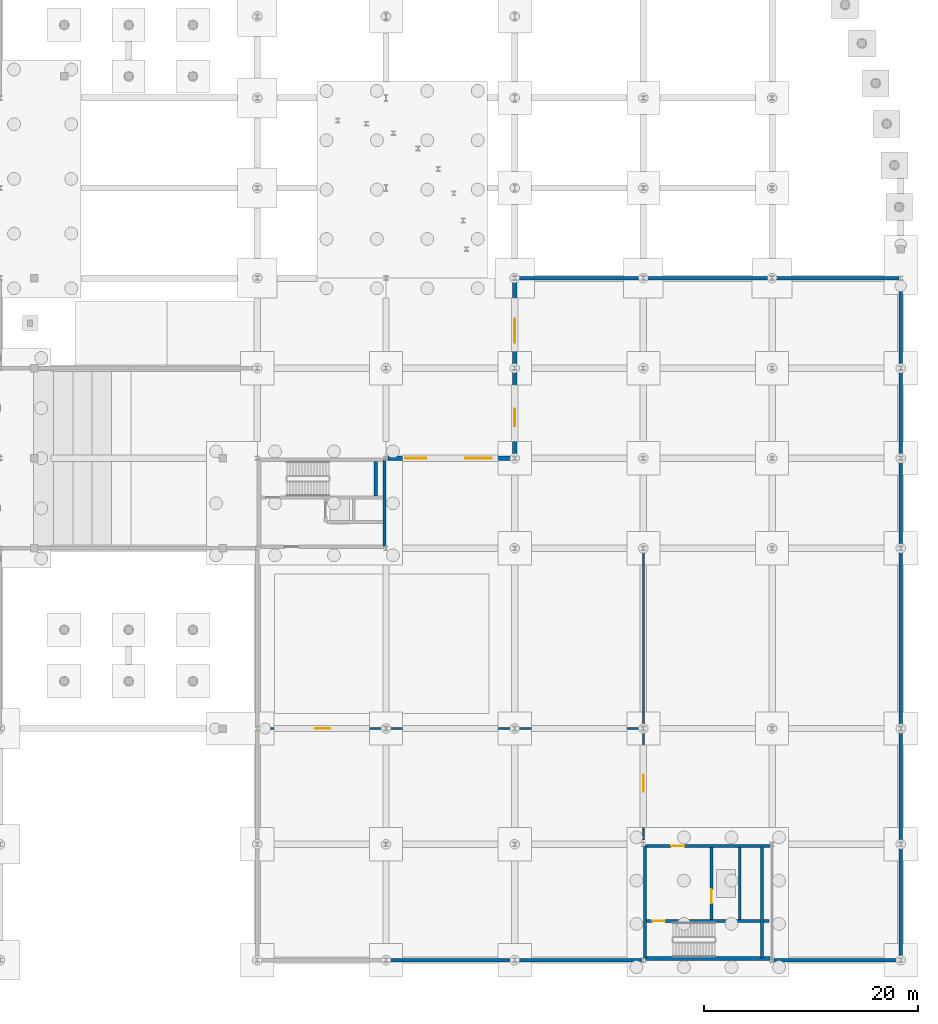
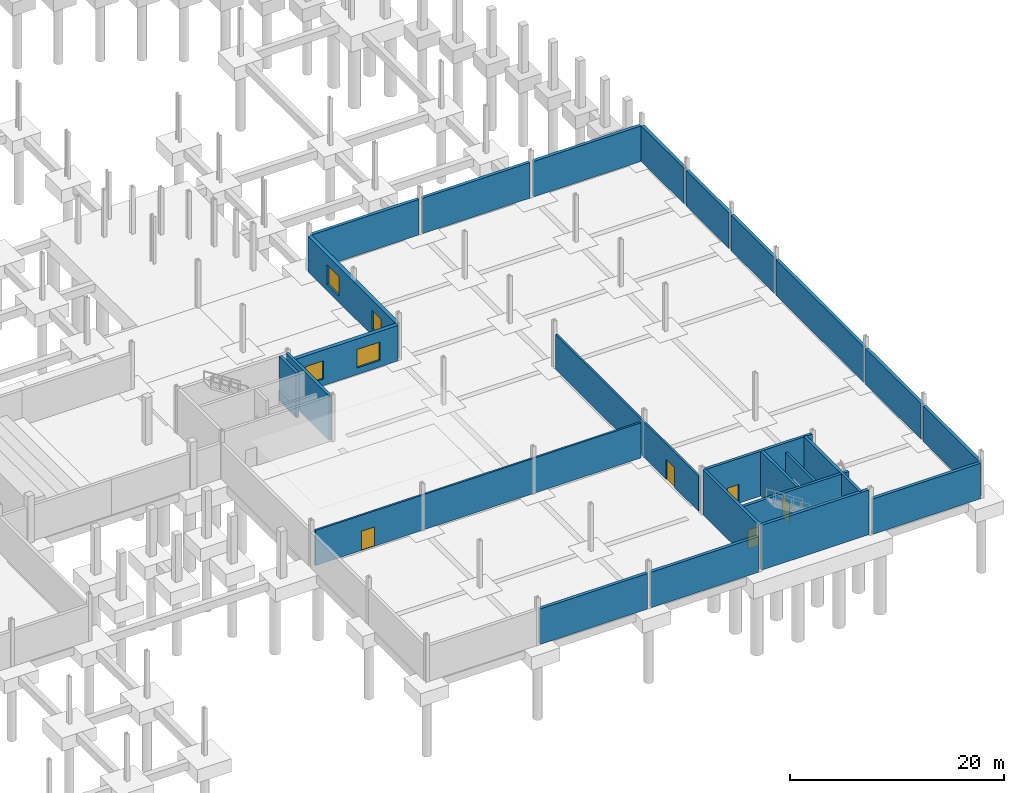
# One storey, part 29 of 36: 25 walls, 5 doors, 4 windows, 9 openings.
"""IFC4 building model written with IfcOpenShell, lengths in metres."""

from ifc_helpers import new_model, si_unit, direction, frame, frame_2d, origin, place, context, subcontext, project, spatial, rectangle, extrude, material, layer, layer_set, type_object, element, fill, save


model = new_model("IFC4")

# Units and contexts
model_context = context("Model", 3, precision=1e-05, world=origin(), true_north=direction((0.0, 1.0)))
body_context = subcontext(model_context, "Body", "Model", "MODEL_VIEW")
ifc_project = project(units=[si_unit("LENGTHUNIT", "METRE"), si_unit("AREAUNIT", "SQUARE_METRE"), si_unit("VOLUMEUNIT", "CUBIC_METRE"), si_unit("PLANEANGLEUNIT", "RADIAN"), si_unit("MASSUNIT", "GRAM", prefix="KILO"), si_unit("THERMODYNAMICTEMPERATUREUNIT", "KELVIN"), si_unit("POWERUNIT", "WATT")], contexts=[model_context])

# Site, building, storey
site_placement = place(None, origin())
site = spatial("IfcSite", under=ifc_project, at=site_placement, CompositionType="ELEMENT")
building_placement = place(site_placement, origin())
building = spatial("IfcBuilding", under=site, at=building_placement, Name="Tembeka Court Mobility Hub", CompositionType="ELEMENT")
storey_placement = place(building_placement, frame((0.0, 0.0, -5.39990234375)))
storey = spatial("IfcBuildingStorey", under=building, at=storey_placement, Name="B1", CompositionType="ELEMENT", Elevation=-5.39990234375)

# Wall, openings, windows
ifc_material_1 = material(Name="Insulated Nairobi volcanic-tuff masonry", Category="masonry")
ifc_layer_1 = layer(ifc_material_1, 0.419921875)
ifc_layer_set_1 = layer_set([ifc_layer_1], Name="Insulated Nairobi volcanic-tuff masonry")
wall_type_1 = type_object("IfcWallType", Name="WL-EW01", PredefinedType="STANDARD", material=ifc_layer_set_1)
wall_1_placement = place(storey_placement, frame((128.58447265625, 46.800048828125, 0.0), z_axis=(0.0, 0.0, 1.0), x_axis=(1.0, 0.0, 0.0)))
wall_1 = element("IfcWall", 1, at=wall_1_placement, inside=storey, type_object=wall_type_1, Name="External wall EW01 (EW-B1-0057)", PredefinedType="STANDARD", context=body_context, shape_type="SweptSolid", body=[
    extrude(rectangle(XDim=11.631103515625, YDim=0.419921875, at=frame_2d((5.8154296875, 0.0))), origin(), (0.0, 0.0, 1.0), 4.059814453125),
])
opening_1_placement = place(wall_1_placement, frame((1.60009765625, 0.0, 0.75)))
opening_1 = element("IfcOpeningElement", 2, at=opening_1_placement, cuts=wall_1, Name="Opening WN23", PredefinedType="OPENING", context=body_context, shape_type="SweptSolid", body=[
    extrude(rectangle(XDim=1.949951171875, YDim=2.10009765625, at=frame_2d((0.97509765625, 1.050048828125))), frame((0.0, 0.219970703125, 0.0), z_axis=(0.0, -1.0, 0.0), x_axis=(1.0, 0.0, 0.0)), (0.0, 0.0, 1.0), 0.43994140625),
])
opening_2_placement = place(wall_1_placement, frame((7.199951171875, 0.0, 0.75)))
opening_2 = element("IfcOpeningElement", 3, at=opening_2_placement, cuts=wall_1, Name="Opening WN28", PredefinedType="OPENING", context=body_context, shape_type="SweptSolid", body=[
    extrude(rectangle(XDim=2.5, YDim=2.10009765625, at=frame_2d((1.25, 1.050048828125))), frame((0.0, 0.219970703125, 0.0), z_axis=(0.0, -1.0, 0.0), x_axis=(1.0, 0.0, 0.0)), (0.0, 0.0, 1.0), 0.43994140625),
])
ifc_material_2 = material(Name="Laminated solar-control low-E glass", Category="glass")
window_type_1 = type_object("IfcWindowType", Name="WN-W23", PartitioningType="SINGLE_PANEL", PredefinedType="WINDOW", material=ifc_material_2)
window_1_placement = place(opening_1_placement, origin())
window_1 = element("IfcWindow", 4, at=window_1_placement, inside=storey, type_object=window_type_1, Name="Window WN23-0001", OverallHeight=2.10009765625, OverallWidth=1.949951171875, PartitioningType="SINGLE_PANEL", PredefinedType="WINDOW", context=body_context, shape_type="SweptSolid", body=[
    extrude(rectangle(XDim=1.949951171875, YDim=2.10009765625, at=frame_2d((0.97509765625, 1.050048828125))), frame((0.0, 0.030029296875, 0.0), z_axis=(0.0, -1.0, 0.0), x_axis=(1.0, 0.0, 0.0)), (0.0, 0.0, 1.0), 0.06005859375),
])
fill(opening_1, window_1)
window_type_2 = type_object("IfcWindowType", Name="WN-W28", PartitioningType="SINGLE_PANEL", PredefinedType="WINDOW", material=ifc_material_2)
window_2_placement = place(opening_2_placement, origin())
window_2 = element("IfcWindow", 5, at=window_2_placement, inside=storey, type_object=window_type_2, Name="Window WN28-0002", OverallHeight=2.10009765625, OverallWidth=2.5, PartitioningType="SINGLE_PANEL", PredefinedType="WINDOW", context=body_context, shape_type="SweptSolid", body=[
    extrude(rectangle(XDim=2.5, YDim=2.10009765625, at=frame_2d((1.25, 1.050048828125))), frame((0.0, 0.030029296875, 0.0), z_axis=(0.0, -1.0, 0.0), x_axis=(1.0, 0.0, 0.0)), (0.0, 0.0, 1.0), 0.06005859375),
])
fill(opening_2, window_2)

wall_2_placement = place(storey_placement, frame((140.39990234375, 46.98193359375, 0.0), z_axis=(0.0, 0.0, 1.0), x_axis=(0.0, 1.0, 0.0)))
wall_2 = element("IfcWall", 6, at=wall_2_placement, inside=storey, type_object=wall_type_1, Name="External wall EW01 (EW-B1-0058)", PredefinedType="STANDARD", context=body_context, shape_type="SweptSolid", body=[
    extrude(rectangle(XDim=16.423095703125, YDim=0.419921875, at=frame_2d((8.21142578125, 0.0))), origin(), (0.0, 0.0, 1.0), 4.059814453125),
])
opening_3_placement = place(wall_2_placement, frame((2.800048828125, 0.0, 0.75)))
opening_3 = element("IfcOpeningElement", 7, at=opening_3_placement, cuts=wall_2, Name="Opening WN22", PredefinedType="OPENING", context=body_context, shape_type="SweptSolid", body=[
    extrude(rectangle(XDim=1.64990234375, YDim=2.10009765625, at=frame_2d((0.824951171875, 1.050048828125))), frame((0.0, 0.219970703125, 0.0), z_axis=(0.0, -1.0, 0.0), x_axis=(1.0, 0.0, 0.0)), (0.0, 0.0, 1.0), 0.43994140625),
])
opening_4_placement = place(wall_2_placement, frame((10.60009765625, 0.0, 0.75)))
opening_4 = element("IfcOpeningElement", 8, at=opening_4_placement, cuts=wall_2, Name="Opening WN24", PredefinedType="OPENING", context=body_context, shape_type="SweptSolid", body=[
    extrude(rectangle(XDim=2.25, YDim=2.199951171875, at=frame_2d((1.125, 1.10009765625))), frame((0.0, 0.219970703125, 0.0), z_axis=(0.0, -1.0, 0.0), x_axis=(1.0, 0.0, 0.0)), (0.0, 0.0, 1.0), 0.43994140625),
])
window_type_3 = type_object("IfcWindowType", Name="WN-W22", PartitioningType="SINGLE_PANEL", PredefinedType="WINDOW", material=ifc_material_2)
window_3_placement = place(opening_3_placement, origin())
window_3 = element("IfcWindow", 9, at=window_3_placement, inside=storey, type_object=window_type_3, Name="Window WN22-0003", OverallHeight=2.10009765625, OverallWidth=1.64990234375, PartitioningType="SINGLE_PANEL", PredefinedType="WINDOW", context=body_context, shape_type="SweptSolid", body=[
    extrude(rectangle(XDim=1.64990234375, YDim=2.10009765625, at=frame_2d((0.824951171875, 1.050048828125))), frame((0.0, 0.030029296875, 0.0), z_axis=(0.0, -1.0, 0.0), x_axis=(1.0, 0.0, 0.0)), (0.0, 0.0, 1.0), 0.06005859375),
])
fill(opening_3, window_3)
window_type_4 = type_object("IfcWindowType", Name="WN-W24", PartitioningType="SINGLE_PANEL", PredefinedType="WINDOW", material=ifc_material_2)
window_4_placement = place(opening_4_placement, origin())
window_4 = element("IfcWindow", 10, at=window_4_placement, inside=storey, type_object=window_type_4, Name="Window WN24-0004", OverallHeight=2.199951171875, OverallWidth=2.25, PartitioningType="SINGLE_PANEL", PredefinedType="WINDOW", context=body_context, shape_type="SweptSolid", body=[
    extrude(rectangle(XDim=2.25, YDim=2.199951171875, at=frame_2d((1.125, 1.10009765625))), frame((0.0, 0.030029296875, 0.0), z_axis=(0.0, -1.0, 0.0), x_axis=(1.0, 0.0, 0.0)), (0.0, 0.0, 1.0), 0.06005859375),
])
fill(opening_4, window_4)

# Wall
ifc_material_3 = material(Name="Concrete C40/50", Category="concrete")
ifc_layer_2 = layer(ifc_material_3, 0.25)
ifc_layer_set_2 = layer_set([ifc_layer_2], Name="Concrete C40/50")
wall_type_2 = type_object("IfcWallType", Name="WL-IW01", PredefinedType="PARTITIONING", material=ifc_layer_set_2)
wall_3_placement = place(storey_placement, frame((161.39990234375, 3.800048828125, 0.0), z_axis=(0.0, 0.0, 1.0), x_axis=(0.0, 1.0, 0.0)))
element("IfcWall", 11, at=wall_3_placement, inside=storey, type_object=wall_type_2, Name="Wall IW01 (IW-B1-0300)", PredefinedType="PARTITIONING", context=body_context, shape_type="SweptSolid", body=[
    extrude(rectangle(XDim=6.699951171875, YDim=0.25, at=frame_2d((3.35009765625, 0.0))), origin(), (0.0, 0.0, 1.0), 4.02490234375),
])

# Wall, opening, door
ifc_material_4 = material(Name="Concrete blockwork masonry", Category="masonry")
ifc_layer_3 = layer(ifc_material_4, 0.199951171875)
ifc_layer_set_3 = layer_set([ifc_layer_3], Name="Concrete blockwork masonry")
wall_type_3 = type_object("IfcWallType", Name="WL-IW02", PredefinedType="PARTITIONING", material=ifc_layer_set_3)
wall_4_placement = place(storey_placement, frame((116.800048828125, 21.60009765625, 0.0), z_axis=(0.0, 0.0, 1.0), x_axis=(1.0, 0.0, 0.0)))
wall_4 = element("IfcWall", 12, at=wall_4_placement, inside=storey, type_object=wall_type_3, Name="Wall IW02 (IW-B1-0421)", PredefinedType="PARTITIONING", context=body_context, shape_type="SweptSolid", body=[
    extrude(rectangle(XDim=35.199951171875, YDim=0.199951171875, at=frame_2d((17.60009765625, 0.0))), origin(), (0.0, 0.0, 1.0), 4.02490234375),
])
opening_5_placement = place(wall_4_placement, frame((5.0, 0.0, 0.0)))
opening_5 = element("IfcOpeningElement", 13, at=opening_5_placement, cuts=wall_4, Name="Opening FD04", PredefinedType="OPENING", context=body_context, shape_type="SweptSolid", body=[
    extrude(rectangle(XDim=1.39990234375, YDim=2.199951171875, at=frame_2d((0.699951171875, 1.10009765625))), frame((0.0, 0.10986328125, 0.0), z_axis=(0.0, -1.0, 0.0), x_axis=(1.0, 0.0, 0.0)), (0.0, 0.0, 1.0), 0.219970703125),
])
ifc_material_5 = material(Name="Galvanised steel fire/shutter doorset", Category="steel")
door_type_1 = type_object("IfcDoorType", Name="DR-FD04", OperationType="NOTDEFINED", PredefinedType="DOOR", material=ifc_material_5)
door_1_placement = place(opening_5_placement, origin())
door_1 = element("IfcDoor", 14, at=door_1_placement, inside=storey, type_object=door_type_1, Name="Door FD04-0194", OperationType="SINGLE_SWING_RIGHT", OverallHeight=2.199951171875, OverallWidth=1.39990234375, PredefinedType="DOOR", context=body_context, shape_type="SweptSolid", body=[
    extrude(rectangle(XDim=1.39990234375, YDim=2.199951171875, at=frame_2d((0.699951171875, 1.10009765625))), frame((0.0, 0.02490234375, 0.0), z_axis=(0.0, -1.0, 0.0), x_axis=(1.0, 0.0, 0.0)), (0.0, 0.0, 1.0), 0.050048828125),
])
fill(opening_5, door_1)

wall_5_placement = place(storey_placement, frame((152.39990234375, 11.199951171875, 0.0), z_axis=(0.0, 0.0, 1.0), x_axis=(0.0, 1.0, 0.0)))
wall_5 = element("IfcWall", 15, at=wall_5_placement, inside=storey, type_object=wall_type_3, Name="Wall IW02 (IW-B1-0422)", PredefinedType="PARTITIONING", context=body_context, shape_type="SweptSolid", body=[
    extrude(rectangle(XDim=26.800048828125, YDim=0.199951171875, at=frame_2d((13.39990234375, 0.0))), origin(), (0.0, 0.0, 1.0), 4.02490234375),
])
opening_6_placement = place(wall_5_placement, frame((4.5, 0.0, 0.0)))
opening_6 = element("IfcOpeningElement", 16, at=opening_6_placement, cuts=wall_5, Name="Opening ID05", PredefinedType="OPENING", context=body_context, shape_type="SweptSolid", body=[
    extrude(rectangle(XDim=1.60009765625, YDim=2.25, at=frame_2d((0.800048828125, 1.125))), frame((0.0, 0.10986328125, 0.0), z_axis=(0.0, -1.0, 0.0), x_axis=(1.0, 0.0, 0.0)), (0.0, 0.0, 1.0), 0.219970703125),
])
ifc_material_6 = material(Name="Powder-coated aluminium glazed doorset", Category="aluminium")
door_type_2 = type_object("IfcDoorType", Name="DR-ID05", OperationType="NOTDEFINED", PredefinedType="DOOR", material=ifc_material_6)
door_2_placement = place(opening_6_placement, origin())
door_2 = element("IfcDoor", 17, at=door_2_placement, inside=storey, type_object=door_type_2, Name="Door ID05-0195", OperationType="DOUBLE_DOOR_SINGLE_SWING", OverallHeight=2.25, OverallWidth=1.60009765625, PredefinedType="DOOR", context=body_context, shape_type="SweptSolid", body=[
    extrude(rectangle(XDim=1.60009765625, YDim=2.25, at=frame_2d((0.800048828125, 1.125))), frame((0.0, 0.02490234375, 0.0), z_axis=(0.0, -1.0, 0.0), x_axis=(1.0, 0.0, 0.0)), (0.0, 0.0, 1.0), 0.050048828125),
])
fill(opening_6, door_2)

# Walls
ifc_layer_4 = layer(ifc_material_3, 0.340087890625)
ifc_layer_set_4 = layer_set([ifc_layer_4], Name="Concrete C40/50")
wall_type_4 = type_object("IfcWallType", Name="WL-RW01", PredefinedType="USERDEFINED", material=ifc_layer_set_4)
for number, where, z_axis, x_axis, name in (
    (18, (128.595458984375, 0.0, 0.0), (0.0, 0.0, 1.0), (1.0, 0.0, 0.0), "External wall RW01 (EW-B1-0042)"),
    (19, (140.595458984375, 0.0, 0.0), (0.0, 0.0, 1.0), (1.0, 0.0, 0.0), "External wall RW01 (EW-B1-0043)"),
    (20, (164.595458984375, 0.0, 0.0), (0.0, 0.0, 1.0), (1.0, 0.0, 0.0), "External wall RW01 (EW-B1-0044)"),
):
    element("IfcWall", number, at=place(storey_placement, frame(where, z_axis=z_axis, x_axis=x_axis)), inside=storey, type_object=wall_type_4, Name=name, ObjectType="RETAININGWALL", PredefinedType="USERDEFINED", context=body_context, shape_type="SweptSolid", body=[
        extrude(rectangle(XDim=11.609130859375, YDim=0.340087890625, at=frame_2d((5.8046875, 0.0))), origin(), (0.0, 0.0, 1.0), 4.059814453125),
    ])
for number, where, z_axis, x_axis, name in (
    (21, (176.39990234375, 0.1884765625, 0.0), (0.0, 0.0, 1.0), (0.0, 1.0, 0.0), "External wall RW01 (EW-B1-0045)"),
    (22, (176.39990234375, 10.988525390625, 0.0), (0.0, 0.0, 1.0), (0.0, 1.0, 0.0), "External wall RW01 (EW-B1-0046)"),
):
    element("IfcWall", number, at=place(storey_placement, frame(where, z_axis=z_axis, x_axis=x_axis)), inside=storey, type_object=wall_type_4, Name=name, ObjectType="RETAININGWALL", PredefinedType="USERDEFINED", context=body_context, shape_type="SweptSolid", body=[
        extrude(rectangle(XDim=10.423095703125, YDim=0.340087890625, at=frame_2d((5.21142578125, 0.0))), origin(), (0.0, 0.0, 1.0), 4.059814453125),
    ])
wall_6_placement = place(storey_placement, frame((176.39990234375, 21.78857421875, 0.0), z_axis=(0.0, 0.0, 1.0), x_axis=(0.0, 1.0, 0.0)))
element("IfcWall", 23, at=wall_6_placement, inside=storey, type_object=wall_type_4, Name="External wall RW01 (EW-B1-0047)", ObjectType="RETAININGWALL", PredefinedType="USERDEFINED", context=body_context, shape_type="SweptSolid", body=[
    extrude(rectangle(XDim=16.429443359375, YDim=0.340087890625, at=frame_2d((8.21484375, 0.0))), origin(), (0.0, 0.0, 1.0), 4.059814453125),
])
wall_7_placement = place(storey_placement, frame((176.39990234375, 38.58203125, 0.0), z_axis=(0.0, 0.0, 1.0), x_axis=(0.0, 1.0, 0.0)))
element("IfcWall", 24, at=wall_7_placement, inside=storey, type_object=wall_type_4, Name="External wall RW01 (EW-B1-0048)", ObjectType="RETAININGWALL", PredefinedType="USERDEFINED", context=body_context, shape_type="SweptSolid", body=[
    extrude(rectangle(XDim=8.035888671875, YDim=0.340087890625, at=frame_2d((4.01806640625, 0.0))), origin(), (0.0, 0.0, 1.0), 4.059814453125),
])
wall_8_placement = place(storey_placement, frame((176.39990234375, 46.98193359375, 0.0), z_axis=(0.0, 0.0, 1.0), x_axis=(0.0, 1.0, 0.0)))
element("IfcWall", 25, at=wall_8_placement, inside=storey, type_object=wall_type_4, Name="External wall RW01 (EW-B1-0049)", ObjectType="RETAININGWALL", PredefinedType="USERDEFINED", context=body_context, shape_type="SweptSolid", body=[
    extrude(rectangle(XDim=8.0361328125, YDim=0.340087890625, at=frame_2d((4.01806640625, 0.0))), origin(), (0.0, 0.0, 1.0), 4.059814453125),
])
wall_9_placement = place(storey_placement, frame((176.39990234375, 55.382080078125, 0.0), z_axis=(0.0, 0.0, 1.0), x_axis=(0.0, 1.0, 0.0)))
element("IfcWall", 26, at=wall_9_placement, inside=storey, type_object=wall_type_4, Name="External wall RW01 (EW-B1-0050)", ObjectType="RETAININGWALL", PredefinedType="USERDEFINED", context=body_context, shape_type="SweptSolid", body=[
    extrude(rectangle(XDim=8.035888671875, YDim=0.340087890625, at=frame_2d((4.01806640625, 0.0))), origin(), (0.0, 0.0, 1.0), 4.059814453125),
])
for number, where, z_axis, x_axis, name in (
    (27, (140.597412109375, 63.60009765625, 0.0), (0.0, 0.0, 1.0), (1.0, 0.0, 0.0), "External wall RW01 (EW-B1-0051)"),
    (28, (152.597412109375, 63.60009765625, 0.0), (0.0, 0.0, 1.0), (1.0, 0.0, 0.0), "External wall RW01 (EW-B1-0052)"),
):
    element("IfcWall", number, at=place(storey_placement, frame(where, z_axis=z_axis, x_axis=x_axis)), inside=storey, type_object=wall_type_4, Name=name, ObjectType="RETAININGWALL", PredefinedType="USERDEFINED", context=body_context, shape_type="SweptSolid", body=[
        extrude(rectangle(XDim=11.60498046875, YDim=0.340087890625, at=frame_2d((5.802490234375, 0.0))), origin(), (0.0, 0.0, 1.0), 4.059814453125),
    ])
wall_10_placement = place(storey_placement, frame((164.597412109375, 63.60009765625, 0.0), z_axis=(0.0, 0.0, 1.0), x_axis=(1.0, 0.0, 0.0)))
element("IfcWall", 29, at=wall_10_placement, inside=storey, type_object=wall_type_4, Name="External wall RW01 (EW-B1-0053)", ObjectType="RETAININGWALL", PredefinedType="USERDEFINED", context=body_context, shape_type="SweptSolid", body=[
    extrude(rectangle(XDim=11.6181640625, YDim=0.340087890625, at=frame_2d((5.80908203125, 0.0))), origin(), (0.0, 0.0, 1.0), 4.059814453125),
])
ifc_layer_5 = layer(ifc_material_3, 0.300048828125)
ifc_layer_set_5 = layer_set([ifc_layer_5], Name="Concrete C40/50")
wall_type_5 = type_object("IfcWallType", Name="WL-SW01", PredefinedType="SHEAR", material=ifc_layer_set_5)
wall_11_placement = place(storey_placement, frame((128.25, 38.58203125, 0.0), z_axis=(0.0, 0.0, 1.0), x_axis=(0.0, 1.0, 0.0)))
element("IfcWall", 30, at=wall_11_placement, inside=storey, type_object=wall_type_5, Name="Wall SW01 (IW-B1-0252)", PredefinedType="SHEAR", context=body_context, shape_type="SweptSolid", body=[
    extrude(rectangle(XDim=8.035888671875, YDim=0.300048828125, at=frame_2d((4.01806640625, 0.0))), origin(), (0.0, 0.0, 1.0), 5.119873046875),
])
wall_12_placement = place(storey_placement, frame((127.449951171875, 43.300048828125, 0.0), z_axis=(0.0, 0.0, 1.0), x_axis=(0.0, 1.0, 0.0)))
element("IfcWall", 31, at=wall_12_placement, inside=storey, type_object=wall_type_5, Name="Wall SW01 (IW-B1-0253)", PredefinedType="SHEAR", context=body_context, shape_type="SweptSolid", body=[
    extrude(rectangle(XDim=3.199951171875, YDim=0.300048828125, at=frame_2d((1.60009765625, 0.0))), origin(), (0.0, 0.0, 1.0), 5.119873046875),
])

# Wall, opening, door
wall_13_placement = place(storey_placement, frame((152.595458984375, 10.64990234375, 0.0), z_axis=(0.0, 0.0, 1.0), x_axis=(1.0, 0.0, 0.0)))
wall_13 = element("IfcWall", 32, at=wall_13_placement, inside=storey, type_object=wall_type_5, Name="Wall SW01 (IW-B1-0295)", PredefinedType="SHEAR", context=body_context, shape_type="SweptSolid", body=[
    extrude(rectangle(XDim=11.609130859375, YDim=0.300048828125, at=frame_2d((5.8046875, 0.0))), origin(), (0.0, 0.0, 1.0), 5.119873046875),
])
opening_7_placement = place(wall_13_placement, frame((2.384521484375, 0.0, 0.0)))
opening_7 = element("IfcOpeningElement", 33, at=opening_7_placement, cuts=wall_13, Name="Opening FD01", PredefinedType="OPENING", context=body_context, shape_type="SweptSolid", body=[
    extrude(rectangle(XDim=1.25, YDim=2.14990234375, at=frame_2d((0.625, 1.074951171875))), frame((0.0, 0.16015625, 0.0), z_axis=(0.0, -1.0, 0.0), x_axis=(1.0, 0.0, 0.0)), (0.0, 0.0, 1.0), 0.320068359375),
])
door_type_3 = type_object("IfcDoorType", Name="DR-FD01", OperationType="NOTDEFINED", PredefinedType="DOOR", material=ifc_material_5)
door_3_placement = place(opening_7_placement, origin())
door_3 = element("IfcDoor", 34, at=door_3_placement, inside=storey, type_object=door_type_3, Name="Door FD01-0130", OperationType="SINGLE_SWING_LEFT", OverallHeight=2.14990234375, OverallWidth=1.25, PredefinedType="DOOR", context=body_context, shape_type="SweptSolid", body=[
    extrude(rectangle(XDim=1.25, YDim=2.14990234375, at=frame_2d((0.625, 1.074951171875))), frame((0.0, 0.02490234375, 0.0), z_axis=(0.0, -1.0, 0.0), x_axis=(1.0, 0.0, 0.0)), (0.0, 0.0, 1.0), 0.050048828125),
])
fill(opening_7, door_3)

# Walls
for number, where, z_axis, x_axis, name in (
    (35, (152.550048828125, 0.1884765625, 0.0), (0.0, 0.0, 1.0), (0.0, 1.0, 0.0), "Wall SW01 (IW-B1-0296)"),
    (36, (163.449951171875, 0.1884765625, 0.0), (0.0, 0.0, 1.0), (0.0, 1.0, 0.0), "Wall SW01 (IW-B1-0297)"),
):
    element("IfcWall", number, at=place(storey_placement, frame(where, z_axis=z_axis, x_axis=x_axis)), inside=storey, type_object=wall_type_5, Name=name, PredefinedType="SHEAR", context=body_context, shape_type="SweptSolid", body=[
        extrude(rectangle(XDim=10.423095703125, YDim=0.300048828125, at=frame_2d((5.21142578125, 0.0))), origin(), (0.0, 0.0, 1.0), 5.119873046875),
    ])

# Wall, opening, door
wall_14_placement = place(storey_placement, frame((152.699951171875, 3.64990234375, 0.0), z_axis=(0.0, 0.0, 1.0), x_axis=(1.0, 0.0, 0.0)))
wall_14 = element("IfcWall", 37, at=wall_14_placement, inside=storey, type_object=wall_type_5, Name="Wall SW01 (IW-B1-0298)", PredefinedType="SHEAR", context=body_context, shape_type="SweptSolid", body=[
    extrude(rectangle(XDim=11.400146484375, YDim=0.300048828125, at=frame_2d((5.7001953125, 0.0))), origin(), (0.0, 0.0, 1.0), 5.119873046875),
])
opening_8_placement = place(wall_14_placement, frame((0.550048828125, 0.0, 0.0)))
opening_8 = element("IfcOpeningElement", 38, at=opening_8_placement, cuts=wall_14, Name="Opening FD03", PredefinedType="OPENING", context=body_context, shape_type="SweptSolid", body=[
    extrude(rectangle(XDim=1.14990234375, YDim=2.14990234375, at=frame_2d((0.574951171875, 1.074951171875))), frame((0.0, 0.16015625, 0.0), z_axis=(0.0, -1.0, 0.0), x_axis=(1.0, 0.0, 0.0)), (0.0, 0.0, 1.0), 0.320068359375),
])
door_type_4 = type_object("IfcDoorType", Name="DR-FD03", OperationType="NOTDEFINED", PredefinedType="DOOR", material=ifc_material_5)
door_4_placement = place(opening_8_placement, origin())
door_4 = element("IfcDoor", 39, at=door_4_placement, inside=storey, type_object=door_type_4, Name="Door FD03-0131", OperationType="SINGLE_SWING_LEFT", OverallHeight=2.14990234375, OverallWidth=1.14990234375, PredefinedType="DOOR", context=body_context, shape_type="SweptSolid", body=[
    extrude(rectangle(XDim=1.14990234375, YDim=2.14990234375, at=frame_2d((0.574951171875, 1.074951171875))), frame((0.0, 0.02490234375, 0.0), z_axis=(0.0, -1.0, 0.0), x_axis=(1.0, 0.0, 0.0)), (0.0, 0.0, 1.0), 0.050048828125),
])
fill(opening_8, door_4)

wall_15_placement = place(storey_placement, frame((158.75, 3.800048828125, 0.0), z_axis=(0.0, 0.0, 1.0), x_axis=(0.0, 1.0, 0.0)))
wall_15 = element("IfcWall", 40, at=wall_15_placement, inside=storey, type_object=wall_type_5, Name="Wall SW01 (IW-B1-0299)", PredefinedType="SHEAR", context=body_context, shape_type="SweptSolid", body=[
    extrude(rectangle(XDim=6.699951171875, YDim=0.300048828125, at=frame_2d((3.35009765625, 0.0))), origin(), (0.0, 0.0, 1.0), 5.119873046875),
])
opening_9_placement = place(wall_15_placement, frame((1.5, 0.0, 0.0)))
opening_9 = element("IfcOpeningElement", 41, at=opening_9_placement, cuts=wall_15, Name="Opening LD02", PredefinedType="OPENING", context=body_context, shape_type="SweptSolid", body=[
    extrude(rectangle(XDim=1.300048828125, YDim=2.300048828125, at=frame_2d((0.64990234375, 1.14990234375))), frame((0.0, 0.16015625, 0.0), z_axis=(0.0, -1.0, 0.0), x_axis=(1.0, 0.0, 0.0)), (0.0, 0.0, 1.0), 0.320068359375),
])
door_type_5 = type_object("IfcDoorType", Name="DR-LD02", OperationType="SLIDING_TO_LEFT", PredefinedType="DOOR", material=ifc_material_5)
door_5_placement = place(opening_9_placement, origin())
door_5 = element("IfcDoor", 42, at=door_5_placement, inside=storey, type_object=door_type_5, Name="Lift LF08 landing door B1", OperationType="SLIDING_TO_LEFT", OverallHeight=2.300048828125, OverallWidth=1.300048828125, PredefinedType="DOOR", context=body_context, shape_type="SweptSolid", body=[
    extrude(rectangle(XDim=1.300048828125, YDim=2.300048828125, at=frame_2d((0.64990234375, 1.14990234375))), frame((0.0, 0.02490234375, 0.0), z_axis=(0.0, -1.0, 0.0), x_axis=(1.0, 0.0, 0.0)), (0.0, 0.0, 1.0), 0.050048828125),
])
fill(opening_9, door_5)

# Wall
ifc_layer_6 = layer(ifc_material_3, 0.35009765625)
ifc_layer_set_6 = layer_set([ifc_layer_6], Name="Concrete C40/50")
wall_type_6 = type_object("IfcWallType", Name="WL-SW02", PredefinedType="SHEAR", material=ifc_layer_set_6)
wall_16_placement = place(storey_placement, frame((152.595458984375, 0.14990234375, 0.0), z_axis=(0.0, 0.0, 1.0), x_axis=(1.0, 0.0, 0.0)))
element("IfcWall", 43, at=wall_16_placement, inside=storey, type_object=wall_type_6, Name="Wall SW02 (IW-B1-0294)", PredefinedType="SHEAR", context=body_context, shape_type="SweptSolid", body=[
    extrude(rectangle(XDim=11.609130859375, YDim=0.35009765625, at=frame_2d((5.8046875, 0.0))), origin(), (0.0, 0.0, 1.0), 5.119873046875),
])

save(model, "model.ifc")
